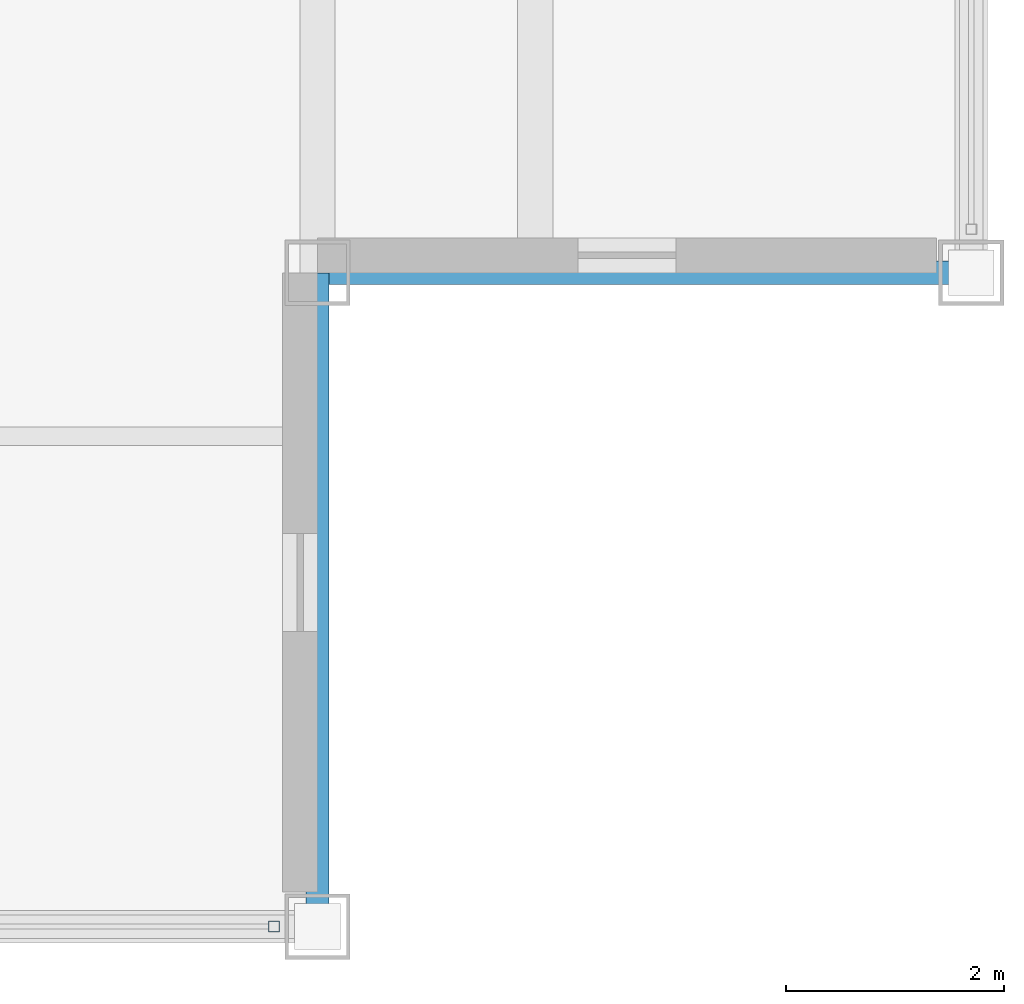
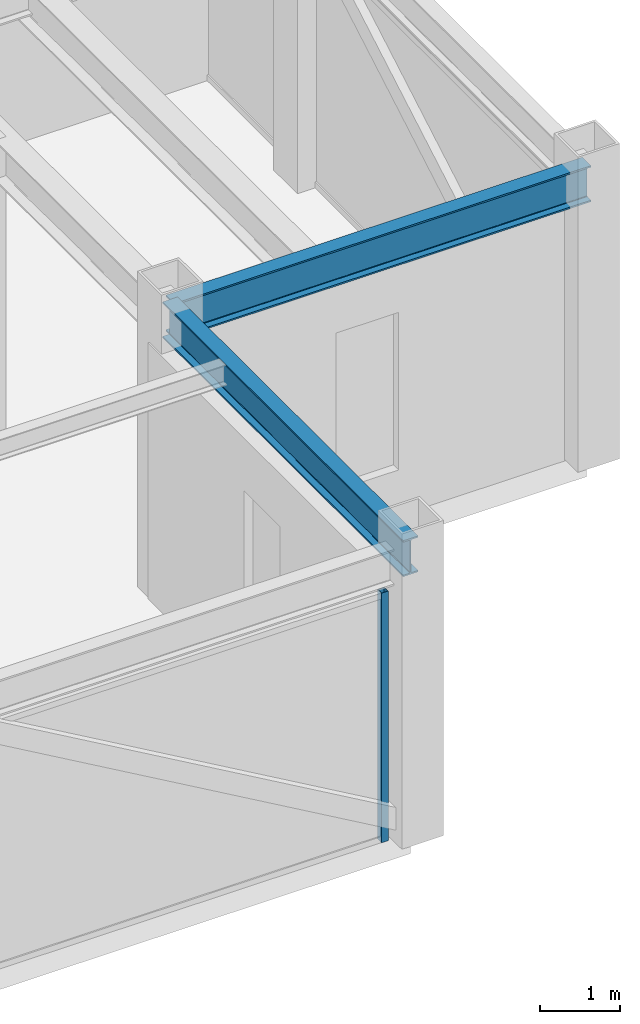
# One storey, part 8 of 27: 2 beams, 1 member, 1 element without a shape of its own.
"""IFC4 building model written with IfcOpenShell, lengths in metres."""

from ifc_helpers import new_model, si_unit, direction, frame, origin, origin_2d, place, context, subcontext, project, spatial, hollow_rectangle, i_section, extrude, source, transform, mapped, material, material_profile, profile_set, type_object, element, aggregate, save


model = new_model("IFC4")

# Units and contexts
model_context = context("Model", 3, precision=1e-05, world=origin(), true_north=direction((0.0, 1.0)))
body_context = subcontext(model_context, "Body", "Model", "MODEL_VIEW")
ifc_project = project(units=[si_unit("LENGTHUNIT", "METRE"), si_unit("AREAUNIT", "SQUARE_METRE"), si_unit("VOLUMEUNIT", "CUBIC_METRE"), si_unit("PLANEANGLEUNIT", "RADIAN"), si_unit("MASSUNIT", "GRAM", prefix="KILO")], contexts=[model_context])

# Site, building, storey
site_placement = place(None, origin())
site = spatial("IfcSite", under=ifc_project, at=site_placement, CompositionType="ELEMENT")
building_placement = place(site_placement, origin())
building = spatial("IfcBuilding", under=site, at=building_placement, Name="Khorayat Bourse Tower", CompositionType="ELEMENT")
storey_placement = place(building_placement, frame((0.0, 0.0, 389.89990234375)))
storey = spatial("IfcBuildingStorey", under=building, at=storey_placement, Name="L92", CompositionType="ELEMENT", Elevation=389.89990234375)

# Beams
ifc_material_1 = material(Name="Steel ASTM A992 Grade 50", Category="steel")
ifc_material_profile_1 = material_profile(ifc_material_1, i_section(OverallWidth=0.214111328125, OverallDepth=0.549072265625, WebThickness=0.0146484375, FlangeThickness=0.023681640625, FilletRadius=0.013916015625, at=origin_2d()), Name="W530X138")
ifc_profile_set_1 = profile_set([ifc_material_profile_1], Name="Steel ASTM A992 Grade 50")
beam_type = type_object("IfcBeamType", Name="BM-SPAN-530", PredefinedType="SPANDREL", material=ifc_profile_set_1)
shared_shape_1 = source(origin(), body_context, "Body", "SweptSolid", [
    extrude(i_section(OverallWidth=0.214111328125, OverallDepth=0.549072265625, WebThickness=0.0146484375, FlangeThickness=0.023681640625, FilletRadius=0.013916015625, at=origin_2d()), origin(), (0.0, 0.0, 1.0), 6.0),
])
for number, where, z_axis, x_axis, name in (
    (1, (18.0, -24.0, 4.175537109375), (0.0, 1.0, 0.0), (-1.0, 0.0, 0.0), "L92 BM-SPAN-530 BM-L92-SPN-030"),
    (2, (18.0, -18.0, 4.175537109375), (1.0, 0.0, 0.0), (0.0, 1.0, 0.0), "L92 BM-SPAN-530 BM-L92-SPN-031"),
):
    element("IfcBeam", number, at=place(storey_placement, frame(where, z_axis=z_axis, x_axis=x_axis)), inside=storey, type_object=beam_type, Name=name, PredefinedType="SPANDREL", context=body_context, shape_type="MappedRepresentation", body=[
        mapped(shared_shape_1, transform((0.0, 0.0, 0.0), scale=1.0)),
    ])

# Curtain wall, member
ifc_material_2 = material(Name="Aluminium EN AW-6063 T6", Category="aluminium")
curtain_wall_type = type_object("IfcCurtainWallType", Name="CW-SYS-07", PredefinedType="NOTDEFINED", material=ifc_material_2)
curtain_wall_placement = place(storey_placement, origin())
curtain_wall = element("IfcCurtainWall", 3, at=curtain_wall_placement, inside=storey, type_object=curtain_wall_type, Name="L92 Curtain Wall CW-L92-S1", PredefinedType="NOTDEFINED")
ifc_material_profile_2 = material_profile(ifc_material_2, hollow_rectangle(XDim=0.10009765625, YDim=0.10009765625, WallThickness=0.0048828125, at=origin_2d()), Name="ALU 100x100x5")
ifc_profile_set_2 = profile_set([ifc_material_profile_2], Name="Aluminium EN AW-6063 T6")
member_type = type_object("IfcMemberType", Name="CWM-LANTERN-100", PredefinedType="MULLION", material=ifc_profile_set_2)
shared_shape_2 = source(origin(), body_context, "Body", "SweptSolid", [
    extrude(hollow_rectangle(XDim=0.10009765625, YDim=0.10009765625, WallThickness=0.0048828125, at=origin_2d()), origin(), (0.0, 0.0, 1.0), 3.800048828125),
])
member_placement = place(storey_placement, frame((17.60009765625, -24.0, 0.0), z_axis=(0.0, 0.0, 1.0), x_axis=(0.0, 1.0, 0.0)))
member = element("IfcMember", 4, at=member_placement, type_object=member_type, Name="CW-L92-S1 Vertical Mullion 3", PredefinedType="MULLION", context=body_context, shape_type="MappedRepresentation", body=[
    mapped(shared_shape_2, transform((0.0, 0.0, 0.0), scale=1.0)),
])
aggregate(curtain_wall, [member])

save(model, "model.ifc")
